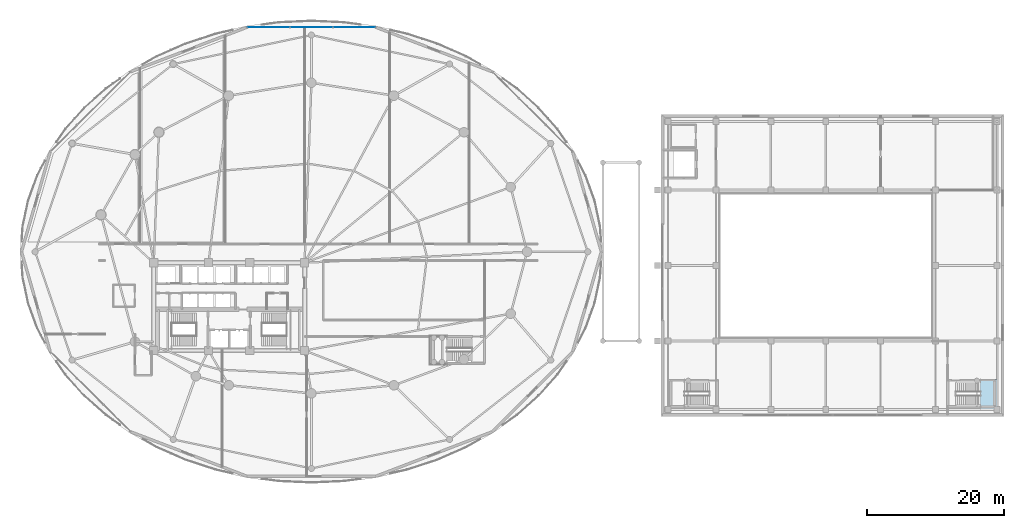
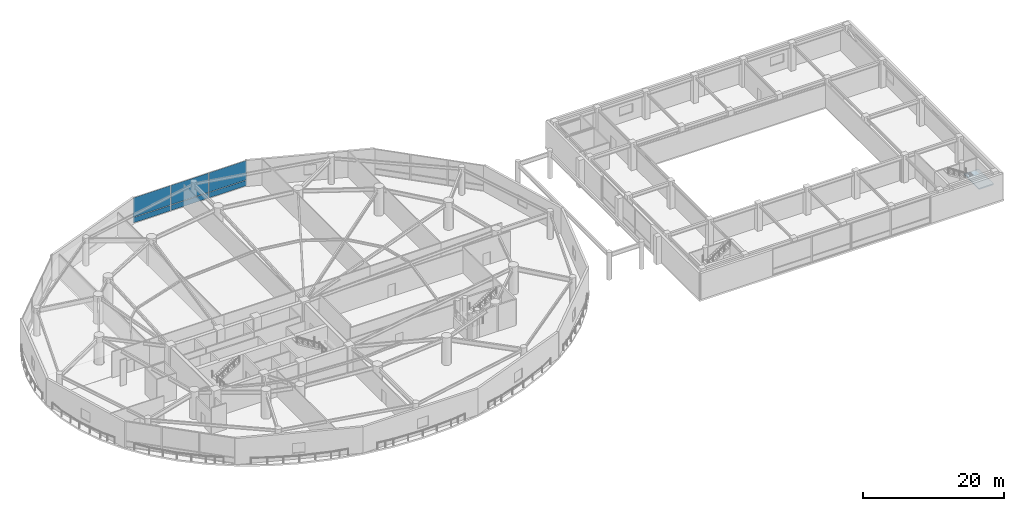
# One storey, part 25 of 40: 6 plates, 1 slab, 2 elements without a shape of their own.
"""IFC4 building model written with IfcOpenShell, lengths in metres."""

from ifc_helpers import new_model, si_unit, direction, frame, origin, origin_2d, place, context, subcontext, project, spatial, polyline, rectangle, outline, extrude, material, layer, layer_set, type_object, element, aggregate, save


model = new_model("IFC4")

# Units and contexts
model_context = context("Model", 3, precision=1e-05, world=origin(), true_north=direction((0.0, 1.0)))
body_context = subcontext(model_context, "Body", "Model", "MODEL_VIEW")
ifc_project = project(units=[si_unit("LENGTHUNIT", "METRE"), si_unit("AREAUNIT", "SQUARE_METRE"), si_unit("VOLUMEUNIT", "CUBIC_METRE"), si_unit("PLANEANGLEUNIT", "RADIAN"), si_unit("MASSUNIT", "GRAM", prefix="KILO")], contexts=[model_context])

# Site, building, storey
site_placement = place(None, origin())
site = spatial("IfcSite", under=ifc_project, at=site_placement, CompositionType="ELEMENT")
building_placement = place(site_placement, origin())
building = spatial("IfcBuilding", under=site, at=building_placement, Name="Kazevale Care Tower and Concert Hall", CompositionType="ELEMENT")
storey_placement = place(building_placement, frame((0.0, 0.0, 9.60009765625)))
storey = spatial("IfcBuildingStorey", under=building, at=storey_placement, Name="L02", CompositionType="ELEMENT", Elevation=9.60009765625)

# Curtain wall, plates
ifc_material_1 = material(Name="Aluminium 6063-T6 and Low-E Glass", Category="aluminium")
ifc_layer_1 = layer(ifc_material_1, 0.179931640625)
ifc_layer_set_1 = layer_set([ifc_layer_1], Name="Aluminium 6063-T6 and Low-E Glass")
curtain_wall_type = type_object("IfcCurtainWallType", Name="Podium Double-Skin Medical Curtain Wall CW-1", PredefinedType="NOTDEFINED", material=ifc_layer_set_1)
curtain_wall_placement = place(storey_placement, origin())
curtain_wall = element("IfcCurtainWall", 1, at=curtain_wall_placement, inside=storey, type_object=curtain_wall_type, Name="cw:L02:pod:04", PredefinedType="NOTDEFINED")
ifc_material_2 = material(Name="Low-E Laminated Glass", Category="glass")
ifc_layer_2 = layer(ifc_material_2, 0.030029296875)
ifc_layer_set_2 = layer_set([ifc_layer_2], Name="Low-E Laminated Glass")
plate_type = type_object("IfcPlateType", Name="CW-1 Low-E Glazing Panel 30mm", PredefinedType="CURTAIN_PANEL", material=ifc_layer_set_2)
plate_1_placement = place(storey_placement, frame((51.24951171875, 70.738037109375, 0.080078125), z_axis=(0.0, 0.0, 1.0), x_axis=(-1.0, 0.0, 0.0)))
plate_1 = element("IfcPlate", 2, at=plate_1_placement, type_object=plate_type, Name="CW-1 panel 1.1", PredefinedType="CURTAIN_PANEL", context=body_context, shape_type="SweptSolid", body=[
    extrude(rectangle(XDim=6.136962890625, YDim=0.030029296875, at=origin_2d()), origin(), (0.0, 0.0, 1.0), 0.929931640625),
])
plate_2_placement = place(storey_placement, frame((51.24951171875, 70.738037109375, 1.08984375), z_axis=(0.0, 0.0, 1.0), x_axis=(-1.0, 0.0, 0.0)))
plate_2 = element("IfcPlate", 3, at=plate_2_placement, type_object=plate_type, Name="CW-1 panel 1.2", PredefinedType="CURTAIN_PANEL", context=body_context, shape_type="SweptSolid", body=[
    extrude(rectangle(XDim=6.136962890625, YDim=0.030029296875, at=origin_2d()), origin(), (0.0, 0.0, 1.0), 3.35009765625),
])
plate_3_placement = place(storey_placement, frame((45.0, 70.738037109375, 0.080078125), z_axis=(0.0, 0.0, 1.0), x_axis=(-1.0, 0.0, 0.0)))
plate_3 = element("IfcPlate", 4, at=plate_3_placement, type_object=plate_type, Name="CW-1 panel 2.1", PredefinedType="CURTAIN_PANEL", context=body_context, shape_type="SweptSolid", body=[
    extrude(rectangle(XDim=6.181884765625, YDim=0.030029296875, at=origin_2d()), origin(), (0.0, 0.0, 1.0), 0.929931640625),
])
plate_4_placement = place(storey_placement, frame((45.0, 70.738037109375, 1.08984375), z_axis=(0.0, 0.0, 1.0), x_axis=(-1.0, 0.0, 0.0)))
plate_4 = element("IfcPlate", 5, at=plate_4_placement, type_object=plate_type, Name="CW-1 panel 2.2", PredefinedType="CURTAIN_PANEL", context=body_context, shape_type="SweptSolid", body=[
    extrude(rectangle(XDim=6.181884765625, YDim=0.030029296875, at=origin_2d()), origin(), (0.0, 0.0, 1.0), 3.35009765625),
])
plate_5_placement = place(storey_placement, frame((38.75048828125, 70.738037109375, 0.080078125), z_axis=(0.0, 0.0, 1.0), x_axis=(-1.0, 0.0, 0.0)))
plate_5 = element("IfcPlate", 6, at=plate_5_placement, type_object=plate_type, Name="CW-1 panel 3.1", PredefinedType="CURTAIN_PANEL", context=body_context, shape_type="SweptSolid", body=[
    extrude(rectangle(XDim=6.136962890625, YDim=0.030029296875, at=origin_2d()), origin(), (0.0, 0.0, 1.0), 0.929931640625),
])
plate_6_placement = place(storey_placement, frame((38.75048828125, 70.738037109375, 1.08984375), z_axis=(0.0, 0.0, 1.0), x_axis=(-1.0, 0.0, 0.0)))
plate_6 = element("IfcPlate", 7, at=plate_6_placement, type_object=plate_type, Name="CW-1 panel 3.2", PredefinedType="CURTAIN_PANEL", context=body_context, shape_type="SweptSolid", body=[
    extrude(rectangle(XDim=6.136962890625, YDim=0.030029296875, at=origin_2d()), origin(), (0.0, 0.0, 1.0), 3.35009765625),
])
aggregate(curtain_wall, [plate_1, plate_2, plate_3, plate_4, plate_5, plate_6])

# Stair, slab
ifc_material_3 = material(Name="Concrete C40", Category="concrete")
stair_type = type_object("IfcStairType", Name="Exit Stair Assembly ST4-H", PredefinedType="HALF_TURN_STAIR", material=ifc_material_3)
stair_placement = place(storey_placement, origin())
stair = element("IfcStair", 8, at=stair_placement, inside=storey, type_object=stair_type, Name="stair:L02:ST5", PredefinedType="HALF_TURN_STAIR")
ifc_layer_3 = layer(ifc_material_3, 0.199951171875)
ifc_layer_set_3 = layer_set([ifc_layer_3], Name="Concrete C40")
slab_type = type_object("IfcSlabType", Name="Stair Half-Landing Slab ST4-H", PredefinedType="LANDING", material=ifc_layer_set_3)
slab_placement = place(storey_placement, frame((0.0, 0.0, 2.199951171875)))
slab = element("IfcSlab", 9, at=slab_placement, type_object=slab_type, Name="ST4-H landing 1", PredefinedType="LANDING", context=body_context, shape_type="SweptSolid", body=[
    extrude(outline(polyline([(142.510009765625, 15.10009765625), (144.949951171875, 15.10009765625), (144.949951171875, 19.39990234375), (142.510009765625, 19.39990234375), (142.510009765625, 15.10009765625)])), origin(), (0.0, 0.0, 1.0), 0.199951171875),
])
aggregate(stair, [slab])

save(model, "model.ifc")
